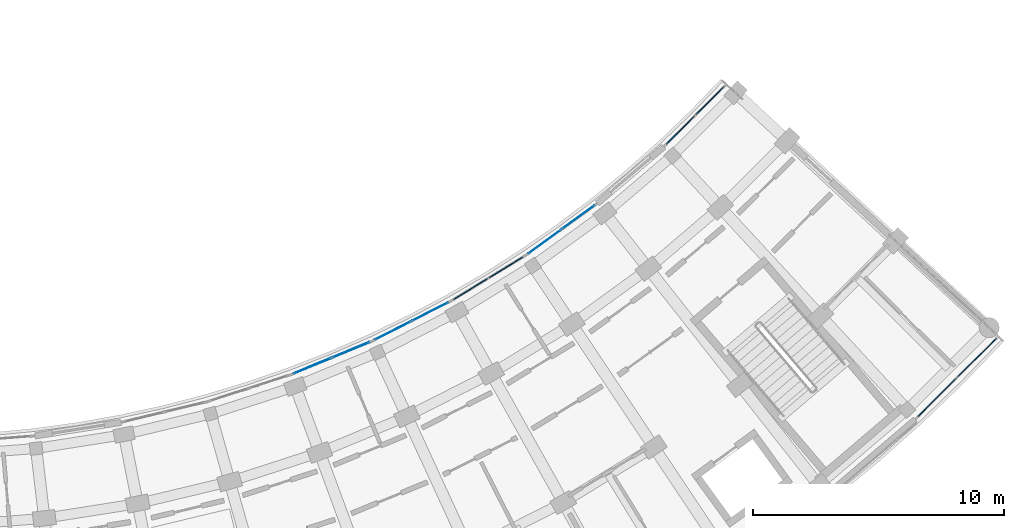
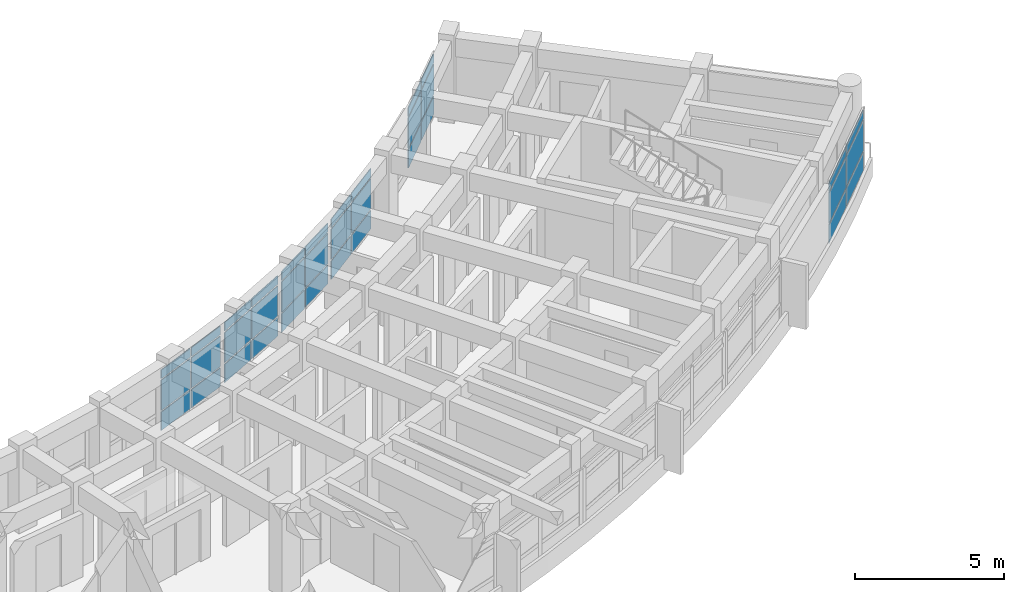
# One storey, part 51 of 83: 36 plates, 6 elements without a shape of their own.
"""IFC4 building model written with IfcOpenShell, lengths in metres."""

from ifc_helpers import new_model, si_unit, direction, frame, origin, origin_2d, place, context, subcontext, project, spatial, rectangle, extrude, material, layer, layer_set, type_object, element, aggregate, save


model = new_model("IFC4")

# Units and contexts
model_context = context("Model", 3, precision=1e-05, world=origin(), true_north=direction((0.0, 1.0)))
body_context = subcontext(model_context, "Body", "Model", "MODEL_VIEW")
ifc_project = project(units=[si_unit("LENGTHUNIT", "METRE"), si_unit("AREAUNIT", "SQUARE_METRE"), si_unit("VOLUMEUNIT", "CUBIC_METRE"), si_unit("PLANEANGLEUNIT", "RADIAN"), si_unit("MASSUNIT", "GRAM", prefix="KILO")], contexts=[model_context])

# Site, building, storey
site_placement = place(None, origin())
site = spatial("IfcSite", under=ifc_project, at=site_placement, CompositionType="ELEMENT")
building_placement = place(site_placement, origin())
building = spatial("IfcBuilding", under=site, at=building_placement, Name="Zimvara Arc Housing Community", CompositionType="ELEMENT")
storey_placement = place(building_placement, frame((0.0, 0.0, 4.5)))
storey = spatial("IfcBuildingStorey", under=building, at=storey_placement, Name="L01", CompositionType="ELEMENT", Elevation=4.5)

# Curtain wall, plates
ifc_material_1 = material(Name="Anodised Aluminium AW-6063", Category="aluminium")
curtain_wall_type_1 = type_object("IfcCurtainWallType", Name="CW-SYS-04", PredefinedType="USERDEFINED", material=ifc_material_1)
curtain_wall_1_placement = place(storey_placement, origin())
curtain_wall_1 = element("IfcCurtainWall", 1, at=curtain_wall_1_placement, inside=storey, type_object=curtain_wall_type_1, Name="cw:blkD:L01:in:b4", ObjectType="CURTAIN WALL", PredefinedType="USERDEFINED")
ifc_material_2 = material(Name="Pale-Gold Anodised Aluminium Spandrel Panel", Category="aluminium")
ifc_layer_1 = layer(ifc_material_2, 0.035888671875)
ifc_layer_set_1 = layer_set([ifc_layer_1], Name="Pale-Gold Anodised Aluminium Spandrel Panel")
plate_type_1 = type_object("IfcPlateType", Name="CWP-GLD-36", PredefinedType="CURTAIN_PANEL", material=ifc_layer_set_1)
plate_1_placement = place(storey_placement, frame((142.239501953125, 68.336669921875, 0.06494140625), z_axis=(0.0, 0.0, 1.0), x_axis=(0.924213086235, 0.381877167728, 0.0)))
plate_1 = element("IfcPlate", 2, at=plate_1_placement, type_object=plate_type_1, Name="CW04 panel 1.1", PredefinedType="CURTAIN_PANEL", context=body_context, shape_type="SweptSolid", body=[
    extrude(rectangle(XDim=1.59423828125, YDim=0.035888671875, at=origin_2d()), origin(), (0.0, 0.0, 1.0), 0.75244140625),
])
plate_2_placement = place(storey_placement, frame((142.239501953125, 68.336669921875, 0.88232421875), z_axis=(0.0, 0.0, 1.0), x_axis=(0.924213086235, 0.381877167728, 0.0)))
plate_2 = element("IfcPlate", 3, at=plate_2_placement, type_object=plate_type_1, Name="CW04 panel 1.2", PredefinedType="CURTAIN_PANEL", context=body_context, shape_type="SweptSolid", body=[
    extrude(rectangle(XDim=1.59423828125, YDim=0.035888671875, at=origin_2d()), origin(), (0.0, 0.0, 1.0), 1.235107421875),
])
plate_3_placement = place(storey_placement, frame((142.239501953125, 68.336669921875, 2.182373046875), z_axis=(0.0, 0.0, 1.0), x_axis=(0.924213086235, 0.381877167728, 0.0)))
plate_3 = element("IfcPlate", 4, at=plate_3_placement, type_object=plate_type_1, Name="CW04 panel 1.3", PredefinedType="CURTAIN_PANEL", context=body_context, shape_type="SweptSolid", body=[
    extrude(rectangle(XDim=1.59423828125, YDim=0.035888671875, at=origin_2d()), origin(), (0.0, 0.0, 1.0), 0.3525390625),
])
plate_4_placement = place(storey_placement, frame((143.77294921875, 68.97021484375, 0.06494140625), z_axis=(0.0, 0.0, 1.0), x_axis=(0.924213086235, 0.381877167728, 0.0)))
plate_4 = element("IfcPlate", 5, at=plate_4_placement, type_object=plate_type_1, Name="CW04 panel 2.1", PredefinedType="CURTAIN_PANEL", context=body_context, shape_type="SweptSolid", body=[
    extrude(rectangle(XDim=1.59423828125, YDim=0.035888671875, at=origin_2d()), origin(), (0.0, 0.0, 1.0), 0.75244140625),
])
plate_5_placement = place(storey_placement, frame((143.77294921875, 68.97021484375, 0.88232421875), z_axis=(0.0, 0.0, 1.0), x_axis=(0.924213086235, 0.381877167728, 0.0)))
plate_5 = element("IfcPlate", 6, at=plate_5_placement, type_object=plate_type_1, Name="CW04 panel 2.2", PredefinedType="CURTAIN_PANEL", context=body_context, shape_type="SweptSolid", body=[
    extrude(rectangle(XDim=1.59423828125, YDim=0.035888671875, at=origin_2d()), origin(), (0.0, 0.0, 1.0), 1.235107421875),
])
plate_6_placement = place(storey_placement, frame((143.77294921875, 68.97021484375, 2.182373046875), z_axis=(0.0, 0.0, 1.0), x_axis=(0.924213086235, 0.381877167728, 0.0)))
plate_6 = element("IfcPlate", 7, at=plate_6_placement, type_object=plate_type_1, Name="CW04 panel 2.3", PredefinedType="CURTAIN_PANEL", context=body_context, shape_type="SweptSolid", body=[
    extrude(rectangle(XDim=1.59423828125, YDim=0.035888671875, at=origin_2d()), origin(), (0.0, 0.0, 1.0), 0.3525390625),
])
aggregate(curtain_wall_1, [plate_1, plate_2, plate_3, plate_4, plate_5, plate_6])

ifc_material_3 = material(Name="Anodised Aluminium AW-6063", Category="aluminium")
curtain_wall_type_2 = type_object("IfcCurtainWallType", Name="CW-SYS-08", PredefinedType="USERDEFINED", material=ifc_material_3)
curtain_wall_2_placement = place(storey_placement, origin())
curtain_wall_2 = element("IfcCurtainWall", 8, at=curtain_wall_2_placement, inside=storey, type_object=curtain_wall_type_2, Name="cw:blkD:L01:in:b6", ObjectType="CURTAIN WALL", PredefinedType="USERDEFINED")
plate_7_placement = place(storey_placement, frame((148.534912109375, 71.391357421875, 0.06494140625), z_axis=(0.0, 0.0, 1.0), x_axis=(0.853095849943, 0.521754224526, 0.0)))
plate_7 = element("IfcPlate", 9, at=plate_7_placement, type_object=plate_type_1, Name="CW08 panel 1.1", PredefinedType="CURTAIN_PANEL", context=body_context, shape_type="SweptSolid", body=[
    extrude(rectangle(XDim=1.59423828125, YDim=0.035888671875, at=origin_2d()), origin(), (0.0, 0.0, 1.0), 0.75244140625),
])
plate_8_placement = place(storey_placement, frame((148.534912109375, 71.391357421875, 0.88232421875), z_axis=(0.0, 0.0, 1.0), x_axis=(0.853095849943, 0.521754224526, 0.0)))
plate_8 = element("IfcPlate", 10, at=plate_8_placement, type_object=plate_type_1, Name="CW08 panel 1.2", PredefinedType="CURTAIN_PANEL", context=body_context, shape_type="SweptSolid", body=[
    extrude(rectangle(XDim=1.59423828125, YDim=0.035888671875, at=origin_2d()), origin(), (0.0, 0.0, 1.0), 1.235107421875),
])
plate_9_placement = place(storey_placement, frame((148.534912109375, 71.391357421875, 2.182373046875), z_axis=(0.0, 0.0, 1.0), x_axis=(0.853095849943, 0.521754224526, 0.0)))
plate_9 = element("IfcPlate", 11, at=plate_9_placement, type_object=plate_type_1, Name="CW08 panel 1.3", PredefinedType="CURTAIN_PANEL", context=body_context, shape_type="SweptSolid", body=[
    extrude(rectangle(XDim=1.59423828125, YDim=0.035888671875, at=origin_2d()), origin(), (0.0, 0.0, 1.0), 0.3525390625),
])
plate_10_placement = place(storey_placement, frame((149.950439453125, 72.257080078125, 0.06494140625), z_axis=(0.0, 0.0, 1.0), x_axis=(0.853095849943, 0.521754224526, 0.0)))
plate_10 = element("IfcPlate", 12, at=plate_10_placement, type_object=plate_type_1, Name="CW08 panel 2.1", PredefinedType="CURTAIN_PANEL", context=body_context, shape_type="SweptSolid", body=[
    extrude(rectangle(XDim=1.59423828125, YDim=0.035888671875, at=origin_2d()), origin(), (0.0, 0.0, 1.0), 0.75244140625),
])
plate_11_placement = place(storey_placement, frame((149.950439453125, 72.257080078125, 0.88232421875), z_axis=(0.0, 0.0, 1.0), x_axis=(0.853095849943, 0.521754224526, 0.0)))
plate_11 = element("IfcPlate", 13, at=plate_11_placement, type_object=plate_type_1, Name="CW08 panel 2.2", PredefinedType="CURTAIN_PANEL", context=body_context, shape_type="SweptSolid", body=[
    extrude(rectangle(XDim=1.59423828125, YDim=0.035888671875, at=origin_2d()), origin(), (0.0, 0.0, 1.0), 1.235107421875),
])
plate_12_placement = place(storey_placement, frame((149.950439453125, 72.257080078125, 2.182373046875), z_axis=(0.0, 0.0, 1.0), x_axis=(0.853095849943, 0.521754224526, 0.0)))
plate_12 = element("IfcPlate", 14, at=plate_12_placement, type_object=plate_type_1, Name="CW08 panel 2.3", PredefinedType="CURTAIN_PANEL", context=body_context, shape_type="SweptSolid", body=[
    extrude(rectangle(XDim=1.59423828125, YDim=0.035888671875, at=origin_2d()), origin(), (0.0, 0.0, 1.0), 0.3525390625),
])
aggregate(curtain_wall_2, [plate_7, plate_8, plate_9, plate_10, plate_11, plate_12])

curtain_wall_3_placement = place(storey_placement, origin())
curtain_wall_3 = element("IfcCurtainWall", 15, at=curtain_wall_3_placement, inside=storey, type_object=curtain_wall_type_1, Name="cw:blkD:L01:in:b9", ObjectType="CURTAIN WALL", PredefinedType="USERDEFINED")
plate_13_placement = place(storey_placement, frame((156.89208984375, 77.719482421875, 0.06494140625), z_axis=(0.0, 0.0, 1.0), x_axis=(0.707722730729, 0.706490294632, 0.0)))
plate_13 = element("IfcPlate", 16, at=plate_13_placement, type_object=plate_type_1, Name="CW04 panel 1.1", PredefinedType="CURTAIN_PANEL", context=body_context, shape_type="SweptSolid", body=[
    extrude(rectangle(XDim=1.59423828125, YDim=0.035888671875, at=origin_2d()), origin(), (0.0, 0.0, 1.0), 0.75244140625),
])
plate_14_placement = place(storey_placement, frame((156.89208984375, 77.719482421875, 0.88232421875), z_axis=(0.0, 0.0, 1.0), x_axis=(0.707722730729, 0.706490294632, 0.0)))
plate_14 = element("IfcPlate", 17, at=plate_14_placement, type_object=plate_type_1, Name="CW04 panel 1.2", PredefinedType="CURTAIN_PANEL", context=body_context, shape_type="SweptSolid", body=[
    extrude(rectangle(XDim=1.59423828125, YDim=0.035888671875, at=origin_2d()), origin(), (0.0, 0.0, 1.0), 1.235107421875),
])
plate_15_placement = place(storey_placement, frame((156.89208984375, 77.719482421875, 2.182373046875), z_axis=(0.0, 0.0, 1.0), x_axis=(0.707722730729, 0.706490294632, 0.0)))
plate_15 = element("IfcPlate", 18, at=plate_15_placement, type_object=plate_type_1, Name="CW04 panel 1.3", PredefinedType="CURTAIN_PANEL", context=body_context, shape_type="SweptSolid", body=[
    extrude(rectangle(XDim=1.59423828125, YDim=0.035888671875, at=origin_2d()), origin(), (0.0, 0.0, 1.0), 0.3525390625),
])
plate_16_placement = place(storey_placement, frame((158.06640625, 78.891845703125, 0.06494140625), z_axis=(0.0, 0.0, 1.0), x_axis=(0.707722730729, 0.706490294632, 0.0)))
plate_16 = element("IfcPlate", 19, at=plate_16_placement, type_object=plate_type_1, Name="CW04 panel 2.1", PredefinedType="CURTAIN_PANEL", context=body_context, shape_type="SweptSolid", body=[
    extrude(rectangle(XDim=1.59423828125, YDim=0.035888671875, at=origin_2d()), origin(), (0.0, 0.0, 1.0), 0.75244140625),
])
plate_17_placement = place(storey_placement, frame((158.06640625, 78.891845703125, 0.88232421875), z_axis=(0.0, 0.0, 1.0), x_axis=(0.707722730729, 0.706490294632, 0.0)))
plate_17 = element("IfcPlate", 20, at=plate_17_placement, type_object=plate_type_1, Name="CW04 panel 2.2", PredefinedType="CURTAIN_PANEL", context=body_context, shape_type="SweptSolid", body=[
    extrude(rectangle(XDim=1.59423828125, YDim=0.035888671875, at=origin_2d()), origin(), (0.0, 0.0, 1.0), 1.235107421875),
])
plate_18_placement = place(storey_placement, frame((158.06640625, 78.891845703125, 2.182373046875), z_axis=(0.0, 0.0, 1.0), x_axis=(0.707722730729, 0.706490294632, 0.0)))
plate_18 = element("IfcPlate", 21, at=plate_18_placement, type_object=plate_type_1, Name="CW04 panel 2.3", PredefinedType="CURTAIN_PANEL", context=body_context, shape_type="SweptSolid", body=[
    extrude(rectangle(XDim=1.59423828125, YDim=0.035888671875, at=origin_2d()), origin(), (0.0, 0.0, 1.0), 0.3525390625),
])
aggregate(curtain_wall_3, [plate_13, plate_14, plate_15, plate_16, plate_17, plate_18])

ifc_material_4 = material(Name="Anodised Aluminium AW-6063", Category="aluminium")
curtain_wall_type_3 = type_object("IfcCurtainWallType", Name="CW-SYS-06", PredefinedType="USERDEFINED", material=ifc_material_4)
curtain_wall_4_placement = place(storey_placement, origin())
curtain_wall_4 = element("IfcCurtainWall", 22, at=curtain_wall_4_placement, inside=storey, type_object=curtain_wall_type_3, Name="cw:blkD:L01:in:b5", ObjectType="CURTAIN WALL", PredefinedType="USERDEFINED")
ifc_material_5 = material(Name="Solar Control Low-E Double Glazing", Category="glass")
ifc_layer_2 = layer(ifc_material_5, 0.028076171875)
ifc_layer_set_2 = layer_set([ifc_layer_2], Name="Solar Control Low-E Double Glazing")
plate_type_2 = type_object("IfcPlateType", Name="CWP-GLZ-28", PredefinedType="CURTAIN_PANEL", material=ifc_layer_set_2)
plate_19_placement = place(storey_placement, frame((145.447265625, 69.740234375, 0.06494140625), z_axis=(0.0, 0.0, 1.0), x_axis=(0.89140306074, 0.453211411267, 0.0)))
plate_19 = element("IfcPlate", 23, at=plate_19_placement, type_object=plate_type_2, Name="CW06 panel 1.1", PredefinedType="CURTAIN_PANEL", context=body_context, shape_type="SweptSolid", body=[
    extrude(rectangle(XDim=1.59423828125, YDim=0.028076171875, at=origin_2d()), origin(), (0.0, 0.0, 1.0), 0.75244140625),
])
plate_20_placement = place(storey_placement, frame((145.447265625, 69.740234375, 0.88232421875), z_axis=(0.0, 0.0, 1.0), x_axis=(0.89140306074, 0.453211411267, 0.0)))
plate_20 = element("IfcPlate", 24, at=plate_20_placement, type_object=plate_type_2, Name="CW06 panel 1.2", PredefinedType="CURTAIN_PANEL", context=body_context, shape_type="SweptSolid", body=[
    extrude(rectangle(XDim=1.59423828125, YDim=0.028076171875, at=origin_2d()), origin(), (0.0, 0.0, 1.0), 1.235107421875),
])
plate_21_placement = place(storey_placement, frame((145.447265625, 69.740234375, 2.182373046875), z_axis=(0.0, 0.0, 1.0), x_axis=(0.89140306074, 0.453211411267, 0.0)))
plate_21 = element("IfcPlate", 25, at=plate_21_placement, type_object=plate_type_2, Name="CW06 panel 1.3", PredefinedType="CURTAIN_PANEL", context=body_context, shape_type="SweptSolid", body=[
    extrude(rectangle(XDim=1.59423828125, YDim=0.028076171875, at=origin_2d()), origin(), (0.0, 0.0, 1.0), 0.3525390625),
])
plate_22_placement = place(storey_placement, frame((146.92626953125, 70.4921875, 0.06494140625), z_axis=(0.0, 0.0, 1.0), x_axis=(0.89140306074, 0.453211411267, 0.0)))
plate_22 = element("IfcPlate", 26, at=plate_22_placement, type_object=plate_type_2, Name="CW06 panel 2.1", PredefinedType="CURTAIN_PANEL", context=body_context, shape_type="SweptSolid", body=[
    extrude(rectangle(XDim=1.59423828125, YDim=0.028076171875, at=origin_2d()), origin(), (0.0, 0.0, 1.0), 0.75244140625),
])
plate_23_placement = place(storey_placement, frame((146.92626953125, 70.4921875, 0.88232421875), z_axis=(0.0, 0.0, 1.0), x_axis=(0.89140306074, 0.453211411267, 0.0)))
plate_23 = element("IfcPlate", 27, at=plate_23_placement, type_object=plate_type_2, Name="CW06 panel 2.2", PredefinedType="CURTAIN_PANEL", context=body_context, shape_type="SweptSolid", body=[
    extrude(rectangle(XDim=1.59423828125, YDim=0.028076171875, at=origin_2d()), origin(), (0.0, 0.0, 1.0), 1.235107421875),
])
plate_24_placement = place(storey_placement, frame((146.92626953125, 70.4921875, 2.182373046875), z_axis=(0.0, 0.0, 1.0), x_axis=(0.89140306074, 0.453211411267, 0.0)))
plate_24 = element("IfcPlate", 28, at=plate_24_placement, type_object=plate_type_2, Name="CW06 panel 2.3", PredefinedType="CURTAIN_PANEL", context=body_context, shape_type="SweptSolid", body=[
    extrude(rectangle(XDim=1.59423828125, YDim=0.028076171875, at=origin_2d()), origin(), (0.0, 0.0, 1.0), 0.3525390625),
])
aggregate(curtain_wall_4, [plate_19, plate_20, plate_21, plate_22, plate_23, plate_24])

ifc_material_6 = material(Name="Anodised Aluminium AW-6063", Category="aluminium")
curtain_wall_type_4 = type_object("IfcCurtainWallType", Name="CW-SYS-02", PredefinedType="USERDEFINED", material=ifc_material_6)
curtain_wall_5_placement = place(storey_placement, origin())
curtain_wall_5 = element("IfcCurtainWall", 29, at=curtain_wall_5_placement, inside=storey, type_object=curtain_wall_type_4, Name="cw:blkD:L01:in:b7", ObjectType="CURTAIN WALL", PredefinedType="USERDEFINED")
plate_25_placement = place(storey_placement, frame((151.483642578125, 73.279541015625, 0.06494140625), z_axis=(0.0, 0.0, 1.0), x_axis=(0.809529396709, 0.587079343755, 0.0)))
plate_25 = element("IfcPlate", 30, at=plate_25_placement, type_object=plate_type_2, Name="CW02 panel 1.1", PredefinedType="CURTAIN_PANEL", context=body_context, shape_type="SweptSolid", body=[
    extrude(rectangle(XDim=1.59423828125, YDim=0.028076171875, at=origin_2d()), origin(), (0.0, 0.0, 1.0), 0.75244140625),
])
plate_26_placement = place(storey_placement, frame((151.483642578125, 73.279541015625, 0.88232421875), z_axis=(0.0, 0.0, 1.0), x_axis=(0.809529396709, 0.587079343755, 0.0)))
plate_26 = element("IfcPlate", 31, at=plate_26_placement, type_object=plate_type_2, Name="CW02 panel 1.2", PredefinedType="CURTAIN_PANEL", context=body_context, shape_type="SweptSolid", body=[
    extrude(rectangle(XDim=1.59423828125, YDim=0.028076171875, at=origin_2d()), origin(), (0.0, 0.0, 1.0), 1.235107421875),
])
plate_27_placement = place(storey_placement, frame((151.483642578125, 73.279541015625, 2.182373046875), z_axis=(0.0, 0.0, 1.0), x_axis=(0.809529396709, 0.587079343755, 0.0)))
plate_27 = element("IfcPlate", 32, at=plate_27_placement, type_object=plate_type_2, Name="CW02 panel 1.3", PredefinedType="CURTAIN_PANEL", context=body_context, shape_type="SweptSolid", body=[
    extrude(rectangle(XDim=1.59423828125, YDim=0.028076171875, at=origin_2d()), origin(), (0.0, 0.0, 1.0), 0.3525390625),
])
plate_28_placement = place(storey_placement, frame((152.826904296875, 74.253662109375, 0.06494140625), z_axis=(0.0, 0.0, 1.0), x_axis=(0.809529396709, 0.587079343755, 0.0)))
plate_28 = element("IfcPlate", 33, at=plate_28_placement, type_object=plate_type_2, Name="CW02 panel 2.1", PredefinedType="CURTAIN_PANEL", context=body_context, shape_type="SweptSolid", body=[
    extrude(rectangle(XDim=1.59423828125, YDim=0.028076171875, at=origin_2d()), origin(), (0.0, 0.0, 1.0), 0.75244140625),
])
plate_29_placement = place(storey_placement, frame((152.826904296875, 74.253662109375, 0.88232421875), z_axis=(0.0, 0.0, 1.0), x_axis=(0.809529396709, 0.587079343755, 0.0)))
plate_29 = element("IfcPlate", 34, at=plate_29_placement, type_object=plate_type_2, Name="CW02 panel 2.2", PredefinedType="CURTAIN_PANEL", context=body_context, shape_type="SweptSolid", body=[
    extrude(rectangle(XDim=1.59423828125, YDim=0.028076171875, at=origin_2d()), origin(), (0.0, 0.0, 1.0), 1.235107421875),
])
plate_30_placement = place(storey_placement, frame((152.826904296875, 74.253662109375, 2.182373046875), z_axis=(0.0, 0.0, 1.0), x_axis=(0.809529396709, 0.587079343755, 0.0)))
plate_30 = element("IfcPlate", 35, at=plate_30_placement, type_object=plate_type_2, Name="CW02 panel 2.3", PredefinedType="CURTAIN_PANEL", context=body_context, shape_type="SweptSolid", body=[
    extrude(rectangle(XDim=1.59423828125, YDim=0.028076171875, at=origin_2d()), origin(), (0.0, 0.0, 1.0), 0.3525390625),
])
aggregate(curtain_wall_5, [plate_25, plate_26, plate_27, plate_28, plate_29, plate_30])

ifc_material_7 = material(Name="Anodised Aluminium AW-6063", Category="aluminium")
curtain_wall_type_5 = type_object("IfcCurtainWallType", Name="CW-SYS-03", PredefinedType="USERDEFINED", material=ifc_material_7)
curtain_wall_6_placement = place(storey_placement, origin())
curtain_wall_6 = element("IfcCurtainWall", 36, at=curtain_wall_6_placement, inside=storey, type_object=curtain_wall_type_5, Name="cw:blkD:L01:out:b9", ObjectType="CURTAIN WALL", PredefinedType="USERDEFINED")
ifc_material_8 = material(Name="Acoustic Laminated Solar Glazing", Category="glass")
ifc_layer_3 = layer(ifc_material_8, 0.031982421875)
ifc_layer_set_3 = layer_set([ifc_layer_3], Name="Acoustic Laminated Solar Glazing")
plate_type_3 = type_object("IfcPlateType", Name="CWP-GLZ-32", PredefinedType="CURTAIN_PANEL", material=ifc_layer_set_3)
plate_31_placement = place(storey_placement, frame((167.106689453125, 67.076904296875, 0.06494140625), z_axis=(0.0, 0.0, 1.0), x_axis=(0.707724012233, 0.706489010891, 0.0)))
plate_31 = element("IfcPlate", 37, at=plate_31_placement, type_object=plate_type_3, Name="CW03 panel 1.1", PredefinedType="CURTAIN_PANEL", context=body_context, shape_type="SweptSolid", body=[
    extrude(rectangle(XDim=2.173828125, YDim=0.031982421875, at=origin_2d()), origin(), (0.0, 0.0, 1.0), 0.75244140625),
])
plate_32_placement = place(storey_placement, frame((167.106689453125, 67.076904296875, 0.88232421875), z_axis=(0.0, 0.0, 1.0), x_axis=(0.707724012233, 0.706489010891, 0.0)))
plate_32 = element("IfcPlate", 38, at=plate_32_placement, type_object=plate_type_3, Name="CW03 panel 1.2", PredefinedType="CURTAIN_PANEL", context=body_context, shape_type="SweptSolid", body=[
    extrude(rectangle(XDim=2.173828125, YDim=0.031982421875, at=origin_2d()), origin(), (0.0, 0.0, 1.0), 1.235107421875),
])
plate_33_placement = place(storey_placement, frame((167.106689453125, 67.076904296875, 2.182373046875), z_axis=(0.0, 0.0, 1.0), x_axis=(0.707724012233, 0.706489010891, 0.0)))
plate_33 = element("IfcPlate", 39, at=plate_33_placement, type_object=plate_type_3, Name="CW03 panel 1.3", PredefinedType="CURTAIN_PANEL", context=body_context, shape_type="SweptSolid", body=[
    extrude(rectangle(XDim=2.173828125, YDim=0.031982421875, at=origin_2d()), origin(), (0.0, 0.0, 1.0), 0.3525390625),
])
plate_34_placement = place(storey_placement, frame((168.691162109375, 68.65869140625, 0.06494140625), z_axis=(0.0, 0.0, 1.0), x_axis=(0.707724012233, 0.706489010891, 0.0)))
plate_34 = element("IfcPlate", 40, at=plate_34_placement, type_object=plate_type_3, Name="CW03 panel 2.1", PredefinedType="CURTAIN_PANEL", context=body_context, shape_type="SweptSolid", body=[
    extrude(rectangle(XDim=2.173828125, YDim=0.031982421875, at=origin_2d()), origin(), (0.0, 0.0, 1.0), 0.75244140625),
])
plate_35_placement = place(storey_placement, frame((168.691162109375, 68.65869140625, 0.88232421875), z_axis=(0.0, 0.0, 1.0), x_axis=(0.707724012233, 0.706489010891, 0.0)))
plate_35 = element("IfcPlate", 41, at=plate_35_placement, type_object=plate_type_3, Name="CW03 panel 2.2", PredefinedType="CURTAIN_PANEL", context=body_context, shape_type="SweptSolid", body=[
    extrude(rectangle(XDim=2.173828125, YDim=0.031982421875, at=origin_2d()), origin(), (0.0, 0.0, 1.0), 1.235107421875),
])
plate_36_placement = place(storey_placement, frame((168.691162109375, 68.65869140625, 2.182373046875), z_axis=(0.0, 0.0, 1.0), x_axis=(0.707724012233, 0.706489010891, 0.0)))
plate_36 = element("IfcPlate", 42, at=plate_36_placement, type_object=plate_type_3, Name="CW03 panel 2.3", PredefinedType="CURTAIN_PANEL", context=body_context, shape_type="SweptSolid", body=[
    extrude(rectangle(XDim=2.173828125, YDim=0.031982421875, at=origin_2d()), origin(), (0.0, 0.0, 1.0), 0.3525390625),
])
aggregate(curtain_wall_6, [plate_31, plate_32, plate_33, plate_34, plate_35, plate_36])

save(model, "model.ifc")
